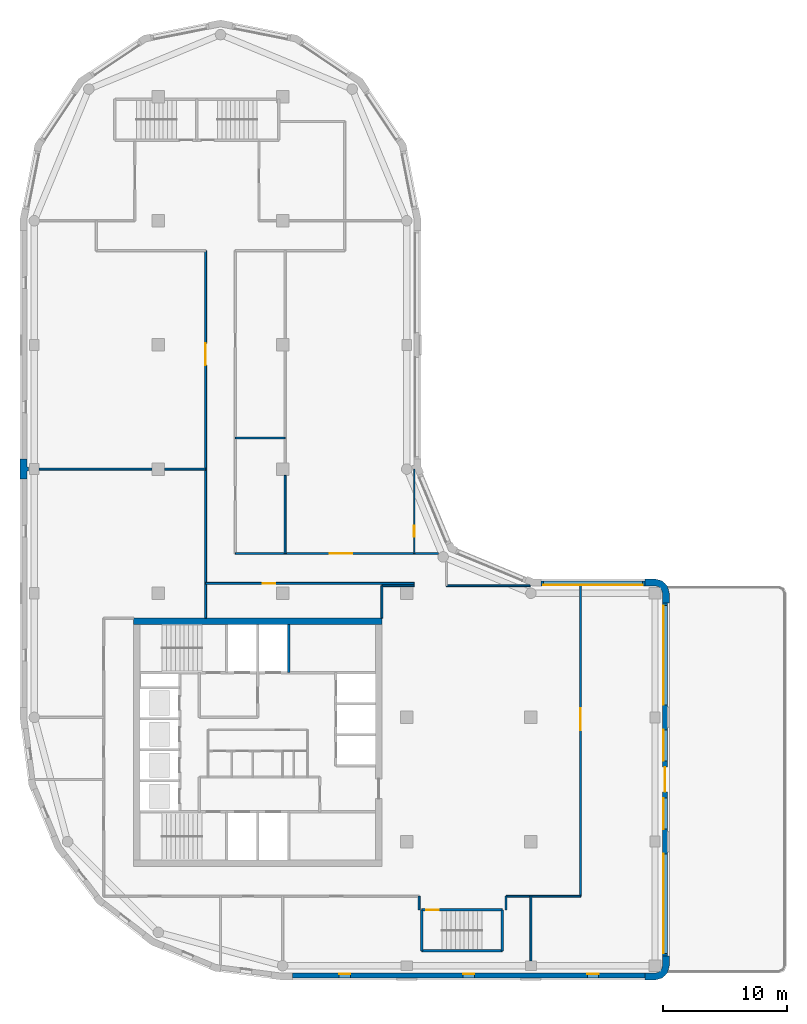
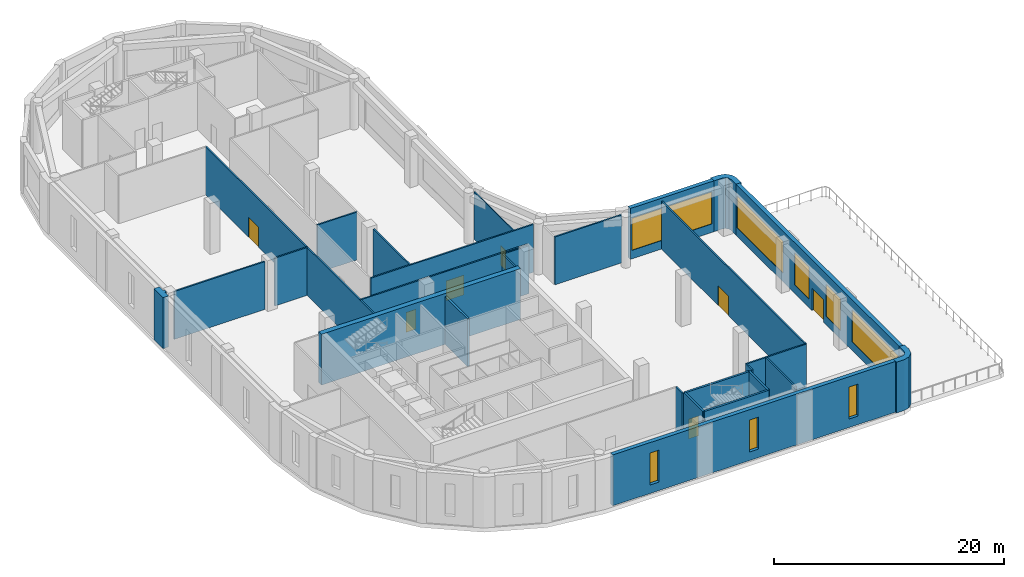
# One storey, part 4 of 9: 28 walls, 8 windows, 7 doors, 15 openings.
"""IFC4 building model written with IfcOpenShell, lengths in metres."""

from ifc_helpers import new_model, si_unit, direction, frame, frame_2d, origin, place, context, subcontext, project, spatial, polyline, rectangle, outline, extrude, material, layer, layer_set, type_object, element, fill, save


model = new_model("IFC4")

# Units and contexts
model_context = context("Model", 3, precision=1e-05, world=origin(), true_north=direction((0.0, 1.0)))
body_context = subcontext(model_context, "Body", "Model", "MODEL_VIEW")
ifc_project = project(units=[si_unit("LENGTHUNIT", "METRE"), si_unit("AREAUNIT", "SQUARE_METRE"), si_unit("VOLUMEUNIT", "CUBIC_METRE"), si_unit("PLANEANGLEUNIT", "RADIAN"), si_unit("MASSUNIT", "GRAM", prefix="KILO")], contexts=[model_context])

# Site, building, storey
site_placement = place(None, origin())
site = spatial("IfcSite", under=ifc_project, at=site_placement, CompositionType="ELEMENT")
building_placement = place(site_placement, origin())
building = spatial("IfcBuilding", under=site, at=building_placement, Name="Qaws Garden Tower", CompositionType="ELEMENT")
storey_placement = place(building_placement, frame((0.0, 0.0, 246.0)))
storey = spatial("IfcBuildingStorey", under=building, at=storey_placement, Name="L59", CompositionType="ELEMENT", Elevation=246.0)

# Walls
ifc_material_1 = material(Name="Clay facing brick masonry", Category="masonry")
ifc_layer_1 = layer(ifc_material_1, 0.550048828125)
ifc_layer_set_1 = layer_set([ifc_layer_1], Name="Clay facing brick masonry")
wall_type_1 = type_object("IfcWallType", Name="Brick corner pier 550 x 2400", PredefinedType="SOLIDWALL", material=ifc_layer_set_1)
placement = place(storey_placement, origin())
element("IfcWall", 1, at=placement, inside=storey, type_object=wall_type_1, Name="E-L59-pier-03", PredefinedType="SOLIDWALL", context=body_context, shape_type="SweptSolid", body=[
    extrude(outline(polyline([(49.199951171875, -1.0), (49.199951171875, -1.14990234375), (50.0, -1.14990234375), (50.574951171875, -0.995849609375), (50.995849609375, -0.574951171875), (51.14990234375, 0.0), (51.14990234375, 0.800048828125), (51.0, 0.800048828125), (50.60009765625, 0.800048828125), (50.60009765625, 0.0), (50.51953125, -0.300048828125), (50.300048828125, -0.51953125), (50.0, -0.60009765625), (49.199951171875, -0.60009765625), (49.199951171875, -1.0)])), origin(), (0.0, 0.0, 1.0), 5.39990234375),
])
element("IfcWall", 2, at=placement, inside=storey, type_object=wall_type_1, Name="E-L59-pier-06", PredefinedType="SOLIDWALL", context=body_context, shape_type="SweptSolid", body=[
    extrude(outline(polyline([(51.0, 29.199951171875), (51.14990234375, 29.199951171875), (51.14990234375, 30.0), (50.995849609375, 30.574951171875), (50.574951171875, 30.995849609375), (50.0, 31.14990234375), (49.199951171875, 31.14990234375), (49.199951171875, 31.0), (49.199951171875, 30.60009765625), (50.0, 30.60009765625), (50.300048828125, 30.51953125), (50.51953125, 30.300048828125), (50.60009765625, 30.0), (50.60009765625, 29.199951171875), (51.0, 29.199951171875)])), origin(), (0.0, 0.0, 1.0), 5.39990234375),
])

# Wall, openings, windows
ifc_material_2 = material(Name="Clay facing brick masonry", Category="masonry")
ifc_layer_2 = layer(ifc_material_2, 0.39990234375)
ifc_layer_set_2 = layer_set([ifc_layer_2], Name="Clay facing brick masonry")
wall_type_2 = type_object("IfcWallType", Name="Brick infill wall 400", PredefinedType="SOLIDWALL", material=ifc_layer_set_2)
wall_3_placement = place(storey_placement, frame((20.800048828125, -0.800048828125, 0.0), z_axis=(0.0, 0.0, 1.0), x_axis=(1.0, 0.0, 0.0)))
wall_3 = element("IfcWall", 3, at=wall_3_placement, inside=storey, type_object=wall_type_2, Name="E-L59-infill-00", PredefinedType="SOLIDWALL", context=body_context, shape_type="SweptSolid", body=[
    extrude(rectangle(XDim=28.39990234375, YDim=0.39990234375, at=frame_2d((14.199951171875, 0.0))), origin(), (0.0, 0.0, 1.0), 5.39990234375),
])
opening_1_placement = place(wall_3_placement, frame((3.75, 0.0, 0.89990234375)))
opening_1 = element("IfcOpeningElement", 4, at=opening_1_placement, cuts=wall_3, Name="Opening W10", PredefinedType="OPENING", context=body_context, shape_type="SweptSolid", body=[
    extrude(rectangle(XDim=0.89990234375, YDim=3.39990234375, at=frame_2d((0.449951171875, 1.699951171875))), frame((0.0, 0.2099609375, 0.0), z_axis=(0.0, -1.0, 0.0), x_axis=(1.0, 0.0, 0.0)), (0.0, 0.0, 1.0), 0.419921875),
])
opening_2_placement = place(wall_3_placement, frame((13.75, 0.0, 0.89990234375)))
opening_2 = element("IfcOpeningElement", 5, at=opening_2_placement, cuts=wall_3, Name="Opening W10", PredefinedType="OPENING", context=body_context, shape_type="SweptSolid", body=[
    extrude(rectangle(XDim=0.89990234375, YDim=3.39990234375, at=frame_2d((0.449951171875, 1.699951171875))), frame((0.0, 0.2099609375, 0.0), z_axis=(0.0, -1.0, 0.0), x_axis=(1.0, 0.0, 0.0)), (0.0, 0.0, 1.0), 0.419921875),
])
opening_3_placement = place(wall_3_placement, frame((23.75, 0.0, 0.89990234375)))
opening_3 = element("IfcOpeningElement", 6, at=opening_3_placement, cuts=wall_3, Name="Opening W10", PredefinedType="OPENING", context=body_context, shape_type="SweptSolid", body=[
    extrude(rectangle(XDim=0.89990234375, YDim=3.39990234375, at=frame_2d((0.449951171875, 1.699951171875))), frame((0.0, 0.2099609375, 0.0), z_axis=(0.0, -1.0, 0.0), x_axis=(1.0, 0.0, 0.0)), (0.0, 0.0, 1.0), 0.419921875),
])
ifc_material_3 = material(Name="Aluminium framed window, clear glazing", Category="aluminium")
window_type_1 = type_object("IfcWindowType", Name="Slit window 900 x 3400", PartitioningType="SINGLE_PANEL", PredefinedType="WINDOW", material=ifc_material_3)
window_1_placement = place(opening_1_placement, origin())
window_1 = element("IfcWindow", 7, at=window_1_placement, inside=storey, type_object=window_type_1, Name="E-L59-window-00-0", OverallHeight=3.39990234375, OverallWidth=0.89990234375, PartitioningType="SINGLE_PANEL", PredefinedType="WINDOW", context=body_context, shape_type="SweptSolid", body=[
    extrude(rectangle(XDim=0.89990234375, YDim=3.39990234375, at=frame_2d((0.449951171875, 1.699951171875))), frame((0.0, 0.159912109375, 0.0), z_axis=(0.0, -1.0, 0.0), x_axis=(1.0, 0.0, 0.0)), (0.0, 0.0, 1.0), 0.06005859375),
])
fill(opening_1, window_1)
window_2_placement = place(opening_2_placement, origin())
window_2 = element("IfcWindow", 8, at=window_2_placement, inside=storey, type_object=window_type_1, Name="E-L59-window-01-0", OverallHeight=3.39990234375, OverallWidth=0.89990234375, PartitioningType="SINGLE_PANEL", PredefinedType="WINDOW", context=body_context, shape_type="SweptSolid", body=[
    extrude(rectangle(XDim=0.89990234375, YDim=3.39990234375, at=frame_2d((0.449951171875, 1.699951171875))), frame((0.0, 0.159912109375, 0.0), z_axis=(0.0, -1.0, 0.0), x_axis=(1.0, 0.0, 0.0)), (0.0, 0.0, 1.0), 0.06005859375),
])
fill(opening_2, window_2)
window_3_placement = place(opening_3_placement, origin())
window_3 = element("IfcWindow", 9, at=window_3_placement, inside=storey, type_object=window_type_1, Name="E-L59-window-02-0", OverallHeight=3.39990234375, OverallWidth=0.89990234375, PartitioningType="SINGLE_PANEL", PredefinedType="WINDOW", context=body_context, shape_type="SweptSolid", body=[
    extrude(rectangle(XDim=0.89990234375, YDim=3.39990234375, at=frame_2d((0.449951171875, 1.699951171875))), frame((0.0, 0.159912109375, 0.0), z_axis=(0.0, -1.0, 0.0), x_axis=(1.0, 0.0, 0.0)), (0.0, 0.0, 1.0), 0.06005859375),
])
fill(opening_3, window_3)

# Wall, openings, windows, door
wall_4_placement = place(storey_placement, frame((50.800048828125, 0.800048828125, 0.0), z_axis=(0.0, 0.0, 1.0), x_axis=(0.0, 1.0, 0.0)))
wall_4 = element("IfcWall", 10, at=wall_4_placement, inside=storey, type_object=wall_type_2, Name="E-L59-infill-03", PredefinedType="SOLIDWALL", context=body_context, shape_type="SweptSolid", body=[
    extrude(rectangle(XDim=28.39990234375, YDim=0.39990234375, at=frame_2d((14.199951171875, 0.0))), origin(), (0.0, 0.0, 1.0), 5.39990234375),
])
opening_4_placement = place(wall_4_placement, frame((0.199951171875, 0.0, 0.89990234375)))
opening_4 = element("IfcOpeningElement", 11, at=opening_4_placement, cuts=wall_4, Name="Opening W02", PredefinedType="OPENING", context=body_context, shape_type="SweptSolid", body=[
    extrude(rectangle(XDim=8.0, YDim=3.39990234375, at=frame_2d((4.0, 1.699951171875))), frame((0.0, 0.2099609375, 0.0), z_axis=(0.0, -1.0, 0.0), x_axis=(1.0, 0.0, 0.0)), (0.0, 0.0, 1.0), 0.419921875),
])
opening_5_placement = place(wall_4_placement, frame((10.199951171875, 0.0, 0.89990234375)))
opening_5 = element("IfcOpeningElement", 12, at=opening_5_placement, cuts=wall_4, Name="Opening W13", PredefinedType="OPENING", context=body_context, shape_type="SweptSolid", body=[
    extrude(rectangle(XDim=2.5, YDim=3.39990234375, at=frame_2d((1.25, 1.699951171875))), frame((0.0, 0.2099609375, 0.0), z_axis=(0.0, -1.0, 0.0), x_axis=(1.0, 0.0, 0.0)), (0.0, 0.0, 1.0), 0.419921875),
])
opening_6_placement = place(wall_4_placement, frame((13.199951171875, 0.0, 0.0)))
opening_6 = element("IfcOpeningElement", 13, at=opening_6_placement, cuts=wall_4, Name="Opening XD011", PredefinedType="OPENING", context=body_context, shape_type="SweptSolid", body=[
    extrude(rectangle(XDim=2.0, YDim=2.39990234375, at=frame_2d((1.0, 1.199951171875))), frame((0.0, 0.2099609375, 0.0), z_axis=(0.0, -1.0, 0.0), x_axis=(1.0, 0.0, 0.0)), (0.0, 0.0, 1.0), 0.419921875),
])
opening_7_placement = place(wall_4_placement, frame((15.699951171875, 0.0, 0.89990234375)))
opening_7 = element("IfcOpeningElement", 14, at=opening_7_placement, cuts=wall_4, Name="Opening W13", PredefinedType="OPENING", context=body_context, shape_type="SweptSolid", body=[
    extrude(rectangle(XDim=2.5, YDim=3.39990234375, at=frame_2d((1.25, 1.699951171875))), frame((0.0, 0.2099609375, 0.0), z_axis=(0.0, -1.0, 0.0), x_axis=(1.0, 0.0, 0.0)), (0.0, 0.0, 1.0), 0.419921875),
])
opening_8_placement = place(wall_4_placement, frame((20.199951171875, 0.0, 0.89990234375)))
opening_8 = element("IfcOpeningElement", 15, at=opening_8_placement, cuts=wall_4, Name="Opening W02", PredefinedType="OPENING", context=body_context, shape_type="SweptSolid", body=[
    extrude(rectangle(XDim=8.0, YDim=3.39990234375, at=frame_2d((4.0, 1.699951171875))), frame((0.0, 0.2099609375, 0.0), z_axis=(0.0, -1.0, 0.0), x_axis=(1.0, 0.0, 0.0)), (0.0, 0.0, 1.0), 0.419921875),
])
ifc_material_4 = material(Name="Aluminium framed window, clear glazing", Category="aluminium")
window_type_2 = type_object("IfcWindowType", Name="Ribbon window 8000 x 3400", PartitioningType="DOUBLE_PANEL_VERTICAL", PredefinedType="WINDOW", material=ifc_material_4)
window_4_placement = place(opening_4_placement, origin())
window_4 = element("IfcWindow", 16, at=window_4_placement, inside=storey, type_object=window_type_2, Name="E-L59-window-03-0", OverallHeight=3.39990234375, OverallWidth=8.0, PartitioningType="SINGLE_PANEL", PredefinedType="WINDOW", context=body_context, shape_type="SweptSolid", body=[
    extrude(rectangle(XDim=8.0, YDim=3.39990234375, at=frame_2d((4.0, 1.699951171875))), frame((0.0, 0.159912109375, 0.0), z_axis=(0.0, -1.0, 0.0), x_axis=(1.0, 0.0, 0.0)), (0.0, 0.0, 1.0), 0.06005859375),
])
fill(opening_4, window_4)
window_5_placement = place(opening_8_placement, origin())
window_5 = element("IfcWindow", 17, at=window_5_placement, inside=storey, type_object=window_type_2, Name="E-L59-window-05-0", OverallHeight=3.39990234375, OverallWidth=8.0, PartitioningType="SINGLE_PANEL", PredefinedType="WINDOW", context=body_context, shape_type="SweptSolid", body=[
    extrude(rectangle(XDim=8.0, YDim=3.39990234375, at=frame_2d((4.0, 1.699951171875))), frame((0.0, 0.159912109375, 0.0), z_axis=(0.0, -1.0, 0.0), x_axis=(1.0, 0.0, 0.0)), (0.0, 0.0, 1.0), 0.06005859375),
])
fill(opening_8, window_5)
ifc_material_5 = material(Name="Aluminium framed window, clear glazing", Category="aluminium")
window_type_3 = type_object("IfcWindowType", Name="Sidelight window 2500 x 3400", PartitioningType="SINGLE_PANEL", PredefinedType="WINDOW", material=ifc_material_5)
window_6_placement = place(opening_5_placement, origin())
window_6 = element("IfcWindow", 18, at=window_6_placement, inside=storey, type_object=window_type_3, Name="E-L59-window-04-0", OverallHeight=3.39990234375, OverallWidth=2.5, PartitioningType="SINGLE_PANEL", PredefinedType="WINDOW", context=body_context, shape_type="SweptSolid", body=[
    extrude(rectangle(XDim=2.5, YDim=3.39990234375, at=frame_2d((1.25, 1.699951171875))), frame((0.0, 0.159912109375, 0.0), z_axis=(0.0, -1.0, 0.0), x_axis=(1.0, 0.0, 0.0)), (0.0, 0.0, 1.0), 0.06005859375),
])
fill(opening_5, window_6)
window_7_placement = place(opening_7_placement, origin())
window_7 = element("IfcWindow", 19, at=window_7_placement, inside=storey, type_object=window_type_3, Name="E-L59-window-04-2", OverallHeight=3.39990234375, OverallWidth=2.5, PartitioningType="SINGLE_PANEL", PredefinedType="WINDOW", context=body_context, shape_type="SweptSolid", body=[
    extrude(rectangle(XDim=2.5, YDim=3.39990234375, at=frame_2d((1.25, 1.699951171875))), frame((0.0, 0.159912109375, 0.0), z_axis=(0.0, -1.0, 0.0), x_axis=(1.0, 0.0, 0.0)), (0.0, 0.0, 1.0), 0.06005859375),
])
fill(opening_7, window_7)
ifc_material_6 = material(Name="Aluminium framed glazed door, clear glazing", Category="aluminium")
door_type_1 = type_object("IfcDoorType", Name="Terrace door 2000 x 2400", OperationType="DOUBLE_DOOR_DOUBLE_SWING", PredefinedType="DOOR", material=ifc_material_6)
door_1_placement = place(opening_6_placement, frame((2.0, 0.0, 0.0), z_axis=(0.0, 0.0, 1.0), x_axis=(-1.0, 0.0, 0.0)))
door_1 = element("IfcDoor", 20, at=door_1_placement, inside=storey, type_object=door_type_1, Name="E-L59-door-04", OperationType="DOUBLE_DOOR_DOUBLE_SWING", OverallHeight=2.39990234375, OverallWidth=2.0, PredefinedType="DOOR", context=body_context, shape_type="SweptSolid", body=[
    extrude(rectangle(XDim=2.0, YDim=2.39990234375, at=frame_2d((1.0, 1.199951171875))), frame((0.0, 0.02490234375, 0.0), z_axis=(0.0, -1.0, 0.0), x_axis=(1.0, 0.0, 0.0)), (0.0, 0.0, 1.0), 0.050048828125),
])
fill(opening_6, door_1)

# Wall, opening, window
wall_5_placement = place(storey_placement, frame((49.199951171875, 30.800048828125, 0.0), z_axis=(0.0, 0.0, 1.0), x_axis=(-1.0, 0.0, 0.0)))
wall_5 = element("IfcWall", 21, at=wall_5_placement, inside=storey, type_object=wall_type_2, Name="E-L59-infill-06", PredefinedType="SOLIDWALL", context=body_context, shape_type="SweptSolid", body=[
    extrude(rectangle(XDim=8.39990234375, YDim=0.39990234375, at=frame_2d((4.199951171875, 0.0))), origin(), (0.0, 0.0, 1.0), 5.39990234375),
])
opening_9_placement = place(wall_5_placement, frame((0.199951171875, 0.0, 0.89990234375)))
opening_9 = element("IfcOpeningElement", 22, at=opening_9_placement, cuts=wall_5, Name="Opening W02", PredefinedType="OPENING", context=body_context, shape_type="SweptSolid", body=[
    extrude(rectangle(XDim=8.0, YDim=3.39990234375, at=frame_2d((4.0, 1.699951171875))), frame((0.0, 0.2099609375, 0.0), z_axis=(0.0, -1.0, 0.0), x_axis=(1.0, 0.0, 0.0)), (0.0, 0.0, 1.0), 0.419921875),
])
window_8_placement = place(opening_9_placement, origin())
window_8 = element("IfcWindow", 23, at=window_8_placement, inside=storey, type_object=window_type_2, Name="E-L59-window-06-0", OverallHeight=3.39990234375, OverallWidth=8.0, PartitioningType="SINGLE_PANEL", PredefinedType="WINDOW", context=body_context, shape_type="SweptSolid", body=[
    extrude(rectangle(XDim=8.0, YDim=3.39990234375, at=frame_2d((4.0, 1.699951171875))), frame((0.0, 0.159912109375, 0.0), z_axis=(0.0, -1.0, 0.0), x_axis=(1.0, 0.0, 0.0)), (0.0, 0.0, 1.0), 0.06005859375),
])
fill(opening_9, window_8)

# Walls
ifc_material_7 = material(Name="Clay facing brick masonry", Category="masonry")
ifc_layer_3 = layer(ifc_material_7, 0.550048828125)
ifc_layer_set_3 = layer_set([ifc_layer_3], Name="Clay facing brick masonry")
wall_type_3 = type_object("IfcWallType", Name="Brick pier 550 x 1600", PredefinedType="SOLIDWALL", material=ifc_layer_set_3)
element("IfcWall", 24, at=placement, inside=storey, type_object=wall_type_3, Name="E-L59-pier-21", PredefinedType="SOLIDWALL", context=body_context, shape_type="SweptSolid", body=[
    extrude(outline(polyline([(-0.60009765625, 39.199951171875), (-0.60009765625, 39.85009765625), (-0.449951171875, 39.85009765625), (-0.449951171875, 40.14990234375), (-0.60009765625, 40.14990234375), (-0.60009765625, 40.800048828125), (-1.0, 40.800048828125), (-1.14990234375, 40.800048828125), (-1.14990234375, 40.0), (-1.14990234375, 39.199951171875), (-1.0, 39.199951171875), (-0.60009765625, 39.199951171875)])), origin(), (0.0, 0.0, 1.0), 5.39990234375),
])
ifc_material_8 = material(Name="Concrete C60", Category="concrete")
ifc_layer_4 = layer(ifc_material_8, 0.199951171875)
ifc_layer_set_4 = layer_set([ifc_layer_4], Name="Concrete C60")
wall_type_4 = type_object("IfcWallType", Name="Core shaft wall 200 C60", PredefinedType="SHEAR", material=ifc_layer_set_4)
wall_7_placement = place(storey_placement, frame((31.199951171875, 1.199951171875, 0.0), z_axis=(0.0, 0.0, 1.0), x_axis=(1.0, 0.0, 0.0)))
element("IfcWall", 25, at=wall_7_placement, inside=storey, type_object=wall_type_4, Name="Shaft wall", PredefinedType="SHEAR", context=body_context, shape_type="SweptSolid", body=[
    extrude(rectangle(XDim=6.5, YDim=0.199951171875, at=frame_2d((3.25, 0.0))), origin(), (0.0, 0.0, 1.0), 5.080078125),
])

# Wall, opening, door
wall_8_placement = place(storey_placement, frame((31.199951171875, 4.5, 0.0), z_axis=(0.0, 0.0, 1.0), x_axis=(1.0, 0.0, 0.0)))
wall_8 = element("IfcWall", 26, at=wall_8_placement, inside=storey, type_object=wall_type_4, Name="Shaft wall", PredefinedType="SHEAR", context=body_context, shape_type="SweptSolid", body=[
    extrude(rectangle(XDim=6.5, YDim=0.199951171875, at=frame_2d((3.25, 0.0))), origin(), (0.0, 0.0, 1.0), 5.080078125),
])
opening_10_placement = place(wall_8_placement, frame((0.375, 0.0, 0.0)))
opening_10 = element("IfcOpeningElement", 27, at=opening_10_placement, cuts=wall_8, Name="Opening SD14", PredefinedType="OPENING", context=body_context, shape_type="SweptSolid", body=[
    extrude(rectangle(XDim=1.0, YDim=2.10009765625, at=frame_2d((0.5, 1.050048828125))), frame((0.0, 0.10986328125, 0.0), z_axis=(0.0, -1.0, 0.0), x_axis=(1.0, 0.0, 0.0)), (0.0, 0.0, 1.0), 0.219970703125),
])
ifc_material_9 = material(Name="Steel S235", Category="steel")
door_type_2 = type_object("IfcDoorType", Name="Stair door 1000x2100", OperationType="SINGLE_SWING_RIGHT", PredefinedType="DOOR", material=ifc_material_9)
door_2_placement = place(opening_10_placement, frame((1.0, 0.0, 0.0), z_axis=(0.0, 0.0, 1.0), x_axis=(-1.0, 0.0, 0.0)))
door_2 = element("IfcDoor", 28, at=door_2_placement, inside=storey, type_object=door_type_2, Name="Stair 5 door", OperationType="SINGLE_SWING_RIGHT", OverallHeight=2.10009765625, OverallWidth=1.0, PredefinedType="DOOR", context=body_context, shape_type="SweptSolid", body=[
    extrude(rectangle(XDim=1.0, YDim=2.10009765625, at=frame_2d((0.5, 1.050048828125))), frame((0.0, 0.02490234375, 0.0), z_axis=(0.0, -1.0, 0.0), x_axis=(1.0, 0.0, 0.0)), (0.0, 0.0, 1.0), 0.050048828125),
])
fill(opening_10, door_2)

# Walls
wall_9_placement = place(storey_placement, frame((20.5, 23.60009765625, 0.0), z_axis=(0.0, 0.0, 1.0), x_axis=(0.0, 1.0, 0.0)))
element("IfcWall", 29, at=wall_9_placement, inside=storey, type_object=wall_type_4, Name="Shaft wall", PredefinedType="SHEAR", context=body_context, shape_type="SweptSolid", body=[
    extrude(rectangle(XDim=3.89990234375, YDim=0.199951171875, at=frame_2d((1.949951171875, 0.0))), origin(), (0.0, 0.0, 1.0), 5.080078125),
])
for number, where, z_axis, x_axis, name in (
    (30, (31.199951171875, 1.199951171875, 0.0), (0.0, 0.0, 1.0), (0.0, 1.0, 0.0), "Shaft wall"),
    (31, (37.699951171875, 1.199951171875, 0.0), (0.0, 0.0, 1.0), (0.0, 1.0, 0.0), "Shaft wall"),
):
    element("IfcWall", number, at=place(storey_placement, frame(where, z_axis=z_axis, x_axis=x_axis)), inside=storey, type_object=wall_type_4, Name=name, PredefinedType="SHEAR", context=body_context, shape_type="SweptSolid", body=[
        extrude(rectangle(XDim=3.300048828125, YDim=0.199951171875, at=frame_2d((1.64990234375, 0.0))), origin(), (0.0, 0.0, 1.0), 5.080078125),
    ])
ifc_material_10 = material(Name="Concrete C60", Category="concrete")
ifc_layer_5 = layer(ifc_material_10, 0.5)
ifc_layer_set_5 = layer_set([ifc_layer_5], Name="Concrete C60")
wall_type_5 = type_object("IfcWallType", Name="Core wall 500 C60", PredefinedType="SHEAR", material=ifc_layer_set_5)
wall_10_placement = place(storey_placement, frame((28.0, 27.75, 0.0), z_axis=(0.0, 0.0, 1.0), x_axis=(-1.0, 0.0, 0.0)))
element("IfcWall", 32, at=wall_10_placement, inside=storey, type_object=wall_type_5, Name="Core wall L59 north", PredefinedType="SHEAR", context=body_context, shape_type="SweptSolid", body=[
    extrude(rectangle(XDim=20.0, YDim=0.5, at=frame_2d((10.0, 0.0))), origin(), (0.0, 0.0, 1.0), 5.39990234375),
])

# Wall, opening, door
ifc_material_11 = material(Name="Gypsum board partition")
ifc_layer_6 = layer(ifc_material_11, 0.10009765625)
ifc_layer_set_6 = layer_set([ifc_layer_6], Name="Gypsum board partition")
wall_type_6 = type_object("IfcWallType", Name="PARTITION 100", PredefinedType="PARTITIONING", material=ifc_layer_set_6)
wall_11_placement = place(storey_placement, frame((30.60009765625, 33.199951171875, 0.0), z_axis=(0.0, 0.0, 1.0), x_axis=(0.0, 1.0, 0.0)))
wall_11 = element("IfcWall", 33, at=wall_11_placement, inside=storey, type_object=wall_type_6, Name="O-L59-wall-001", PredefinedType="PARTITIONING", context=body_context, shape_type="SweptSolid", body=[
    extrude(rectangle(XDim=6.795166015625, YDim=0.10009765625, at=frame_2d((3.3974609375, 0.0))), origin(), (0.0, 0.0, 1.0), 5.080078125),
])
opening_11_placement = place(wall_11_placement, frame((1.35009765625, 0.0, 0.0)))
opening_11 = element("IfcOpeningElement", 34, at=opening_11_placement, cuts=wall_11, Name="Opening S215", PredefinedType="OPENING", context=body_context, shape_type="SweptSolid", body=[
    extrude(rectangle(XDim=0.89990234375, YDim=2.10009765625, at=frame_2d((0.449951171875, 1.050048828125))), frame((0.0, 0.06005859375, 0.0), z_axis=(0.0, -1.0, 0.0), x_axis=(1.0, 0.0, 0.0)), (0.0, 0.0, 1.0), 0.1201171875),
])
ifc_material_12 = material(Name="Timber door leaf", Category="wood")
door_type_3 = type_object("IfcDoorType", Name="OFFICE DOOR 900 X 2100", OperationType="SINGLE_SWING_LEFT", PredefinedType="DOOR", material=ifc_material_12)
door_3_placement = place(opening_11_placement, frame((0.89990234375, 0.0, 0.0), z_axis=(0.0, 0.0, 1.0), x_axis=(-1.0, 0.0, 0.0)))
door_3 = element("IfcDoor", 35, at=door_3_placement, inside=storey, type_object=door_type_3, Name="O-L59-door-015", OperationType="SINGLE_SWING_RIGHT", OverallHeight=2.10009765625, OverallWidth=0.89990234375, PredefinedType="DOOR", context=body_context, shape_type="SweptSolid", body=[
    extrude(rectangle(XDim=0.89990234375, YDim=2.10009765625, at=frame_2d((0.449951171875, 1.050048828125))), frame((0.0, 0.02490234375, 0.0), z_axis=(0.0, -1.0, 0.0), x_axis=(1.0, 0.0, 0.0)), (0.0, 0.0, 1.0), 0.050048828125),
])
fill(opening_11, door_3)

ifc_material_13 = material(Name="Gypsum board partition")
ifc_layer_7 = layer(ifc_material_13, 0.14990234375)
ifc_layer_set_7 = layer_set([ifc_layer_7], Name="Gypsum board partition")
wall_type_7 = type_object("IfcWallType", Name="PARTITION 150 EI 60", PredefinedType="PARTITIONING", material=ifc_layer_set_7)
wall_12_placement = place(storey_placement, frame((13.800048828125, 28.0, 0.0), z_axis=(0.0, 0.0, 1.0), x_axis=(0.0, 1.0, 0.0)))
wall_12 = element("IfcWall", 36, at=wall_12_placement, inside=storey, type_object=wall_type_7, Name="O-L59-wall-005", PredefinedType="PARTITIONING", context=body_context, shape_type="SweptSolid", body=[
    extrude(rectangle(XDim=29.60009765625, YDim=0.14990234375, at=frame_2d((14.800048828125, 0.0))), origin(), (0.0, 0.0, 1.0), 5.080078125),
])
opening_12_placement = place(wall_12_placement, frame((20.35107421875, 0.0, 0.0)))
opening_12 = element("IfcOpeningElement", 37, at=opening_12_placement, cuts=wall_12, Name="Opening S212", PredefinedType="OPENING", context=body_context, shape_type="SweptSolid", body=[
    extrude(rectangle(XDim=1.800048828125, YDim=2.10009765625, at=frame_2d((0.89990234375, 1.050048828125))), frame((0.0, 0.0849609375, 0.0), z_axis=(0.0, -1.0, 0.0), x_axis=(1.0, 0.0, 0.0)), (0.0, 0.0, 1.0), 0.169921875),
])
ifc_material_14 = material(Name="Timber door leaf", Category="wood")
door_type_4 = type_object("IfcDoorType", Name="DOUBLE DOOR 1800 X 2100", OperationType="DOUBLE_DOOR_SINGLE_SWING", PredefinedType="DOOR", material=ifc_material_14)
door_4_placement = place(opening_12_placement, origin())
door_4 = element("IfcDoor", 38, at=door_4_placement, inside=storey, type_object=door_type_4, Name="O-L59-door-012", OperationType="DOUBLE_DOOR_SINGLE_SWING", OverallHeight=2.10009765625, OverallWidth=1.800048828125, PredefinedType="DOOR", context=body_context, shape_type="SweptSolid", body=[
    extrude(rectangle(XDim=1.800048828125, YDim=2.10009765625, at=frame_2d((0.89990234375, 1.050048828125))), frame((0.0, 0.02490234375, 0.0), z_axis=(0.0, -1.0, 0.0), x_axis=(1.0, 0.0, 0.0)), (0.0, 0.0, 1.0), 0.050048828125),
])
fill(opening_12, door_4)

# Walls
wall_13_placement = place(storey_placement, frame((20.199951171875, 33.199951171875, 0.0), z_axis=(0.0, 0.0, 1.0), x_axis=(0.0, 1.0, 0.0)))
element("IfcWall", 39, at=wall_13_placement, inside=storey, type_object=wall_type_7, Name="O-L59-wall-010", PredefinedType="PARTITIONING", context=body_context, shape_type="SweptSolid", body=[
    extrude(rectangle(XDim=6.300048828125, YDim=0.14990234375, at=frame_2d((3.14990234375, 0.0))), origin(), (0.0, 0.0, 1.0), 5.080078125),
])
wall_14_placement = place(storey_placement, frame((28.0, 28.0, 0.0), z_axis=(0.0, 0.0, 1.0), x_axis=(0.0, 1.0, 0.0)))
element("IfcWall", 40, at=wall_14_placement, inside=storey, type_object=wall_type_7, Name="O-L59-wall-014", PredefinedType="PARTITIONING", context=body_context, shape_type="SweptSolid", body=[
    extrude(rectangle(XDim=2.597900390625, YDim=0.14990234375, at=frame_2d((1.298828125, 0.0))), origin(), (0.0, 0.0, 1.0), 5.080078125),
])
for number, where, z_axis, x_axis, name in (
    (41, (31.0, 4.5, 0.0), (0.0, 0.0, 1.0), (0.0, 1.0, 0.0), "O-L59-wall-015"),
    (42, (38.0, 4.5, 0.0), (0.0, 0.0, 1.0), (0.0, 1.0, 0.0), "O-L59-wall-017"),
):
    element("IfcWall", number, at=place(storey_placement, frame(where, z_axis=z_axis, x_axis=x_axis)), inside=storey, type_object=wall_type_7, Name=name, PredefinedType="PARTITIONING", context=body_context, shape_type="SweptSolid", body=[
        extrude(rectangle(XDim=1.10009765625, YDim=0.14990234375, at=frame_2d((0.550048828125, 0.0))), origin(), (0.0, 0.0, 1.0), 5.080078125),
    ])
wall_15_placement = place(storey_placement, frame((40.0, 0.39990234375, 0.0), z_axis=(0.0, 0.0, 1.0), x_axis=(0.0, 1.0, 0.0)))
element("IfcWall", 43, at=wall_15_placement, inside=storey, type_object=wall_type_7, Name="O-L59-wall-018", PredefinedType="PARTITIONING", context=body_context, shape_type="SweptSolid", body=[
    extrude(rectangle(XDim=5.2001953125, YDim=0.14990234375, at=frame_2d((2.60009765625, 0.0))), origin(), (0.0, 0.0, 1.0), 5.080078125),
])

# Wall, opening, door
wall_16_placement = place(storey_placement, frame((44.0, 5.60009765625, 0.0), z_axis=(0.0, 0.0, 1.0), x_axis=(0.0, 1.0, 0.0)))
wall_16 = element("IfcWall", 44, at=wall_16_placement, inside=storey, type_object=wall_type_7, Name="O-L59-wall-019", PredefinedType="PARTITIONING", context=body_context, shape_type="SweptSolid", body=[
    extrude(rectangle(XDim=25.0, YDim=0.14990234375, at=frame_2d((12.5, 0.0))), origin(), (0.0, 0.0, 1.0), 5.080078125),
])
opening_13_placement = place(wall_16_placement, frame((13.35009765625, 0.0, 0.0)))
opening_13 = element("IfcOpeningElement", 45, at=opening_13_placement, cuts=wall_16, Name="Opening S210", PredefinedType="OPENING", context=body_context, shape_type="SweptSolid", body=[
    extrude(rectangle(XDim=1.800048828125, YDim=2.10009765625, at=frame_2d((0.89990234375, 1.050048828125))), frame((0.0, 0.0849609375, 0.0), z_axis=(0.0, -1.0, 0.0), x_axis=(1.0, 0.0, 0.0)), (0.0, 0.0, 1.0), 0.169921875),
])
door_5_placement = place(opening_13_placement, frame((1.800048828125, 0.0, 0.0), z_axis=(0.0, 0.0, 1.0), x_axis=(-1.0, 0.0, 0.0)))
door_5 = element("IfcDoor", 46, at=door_5_placement, inside=storey, type_object=door_type_4, Name="O-L59-door-010", OperationType="DOUBLE_DOOR_SINGLE_SWING", OverallHeight=2.10009765625, OverallWidth=1.800048828125, PredefinedType="DOOR", context=body_context, shape_type="SweptSolid", body=[
    extrude(rectangle(XDim=1.800048828125, YDim=2.10009765625, at=frame_2d((0.89990234375, 1.050048828125))), frame((0.0, 0.02490234375, 0.0), z_axis=(0.0, -1.0, 0.0), x_axis=(1.0, 0.0, 0.0)), (0.0, 0.0, 1.0), 0.050048828125),
])
fill(opening_13, door_5)

# Walls
wall_17_placement = place(storey_placement, frame((38.0, 5.60009765625, 0.0), z_axis=(0.0, 0.0, 1.0), x_axis=(1.0, 0.0, 0.0)))
element("IfcWall", 47, at=wall_17_placement, inside=storey, type_object=wall_type_7, Name="O-L59-wall-021", PredefinedType="PARTITIONING", context=body_context, shape_type="SweptSolid", body=[
    extrude(rectangle(XDim=6.0, YDim=0.14990234375, at=frame_2d((3.0, 0.0))), origin(), (0.0, 0.0, 1.0), 5.080078125),
])
wall_18_placement = place(storey_placement, frame((28.001953125, 30.60009765625, 0.0), z_axis=(0.0, 0.0, 1.0), x_axis=(1.0, 0.0, 0.0)))
element("IfcWall", 48, at=wall_18_placement, inside=storey, type_object=wall_type_7, Name="O-L59-wall-025", PredefinedType="PARTITIONING", context=body_context, shape_type="SweptSolid", body=[
    extrude(rectangle(XDim=2.59814453125, YDim=0.14990234375, at=frame_2d((1.299072265625, 0.0))), origin(), (0.0, 0.0, 1.0), 5.080078125),
])
wall_19_placement = place(storey_placement, frame((33.199951171875, 30.60009765625, 0.0), z_axis=(0.0, 0.0, 1.0), x_axis=(1.0, 0.0, 0.0)))
element("IfcWall", 49, at=wall_19_placement, inside=storey, type_object=wall_type_7, Name="O-L59-wall-026", PredefinedType="PARTITIONING", context=body_context, shape_type="SweptSolid", body=[
    extrude(rectangle(XDim=6.73828125, YDim=0.14990234375, at=frame_2d((3.369140625, 0.0))), origin(), (0.0, 0.0, 1.0), 5.080078125),
])

# Wall, opening, door
wall_20_placement = place(storey_placement, frame((13.802001953125, 30.800048828125, 0.0), z_axis=(0.0, 0.0, 1.0), x_axis=(1.0, 0.0, 0.0)))
wall_20 = element("IfcWall", 50, at=wall_20_placement, inside=storey, type_object=wall_type_7, Name="O-L59-wall-027", PredefinedType="PARTITIONING", context=body_context, shape_type="SweptSolid", body=[
    extrude(rectangle(XDim=16.798095703125, YDim=0.14990234375, at=frame_2d((8.39892578125, 0.0))), origin(), (0.0, 0.0, 1.0), 5.080078125),
])
opening_14_placement = place(wall_20_placement, frame((4.60009765625, 0.0, 0.0)))
opening_14 = element("IfcOpeningElement", 51, at=opening_14_placement, cuts=wall_20, Name="Opening S206", PredefinedType="OPENING", context=body_context, shape_type="SweptSolid", body=[
    extrude(rectangle(XDim=1.0, YDim=2.10009765625, at=frame_2d((0.5, 1.050048828125))), frame((0.0, 0.0849609375, 0.0), z_axis=(0.0, -1.0, 0.0), x_axis=(1.0, 0.0, 0.0)), (0.0, 0.0, 1.0), 0.169921875),
])
ifc_material_15 = material(Name="Timber door leaf", Category="wood")
door_type_5 = type_object("IfcDoorType", Name="TENANCY ENTRANCE DOOR 1000 X 2100", OperationType="SINGLE_SWING_LEFT", PredefinedType="DOOR", material=ifc_material_15)
door_6_placement = place(opening_14_placement, frame((1.0, 0.0, 0.0), z_axis=(0.0, 0.0, 1.0), x_axis=(-1.0, 0.0, 0.0)))
door_6 = element("IfcDoor", 52, at=door_6_placement, inside=storey, type_object=door_type_5, Name="O-L59-door-006", OperationType="SINGLE_SWING_LEFT", OverallHeight=2.10009765625, OverallWidth=1.0, PredefinedType="DOOR", context=body_context, shape_type="SweptSolid", body=[
    extrude(rectangle(XDim=1.0, YDim=2.10009765625, at=frame_2d((0.5, 1.050048828125))), frame((0.0, 0.02490234375, 0.0), z_axis=(0.0, -1.0, 0.0), x_axis=(1.0, 0.0, 0.0)), (0.0, 0.0, 1.0), 0.050048828125),
])
fill(opening_14, door_6)

wall_21_placement = place(storey_placement, frame((16.199951171875, 33.199951171875, 0.0), z_axis=(0.0, 0.0, 1.0), x_axis=(1.0, 0.0, 0.0)))
wall_21 = element("IfcWall", 53, at=wall_21_placement, inside=storey, type_object=wall_type_7, Name="O-L59-wall-028", PredefinedType="PARTITIONING", context=body_context, shape_type="SweptSolid", body=[
    extrude(rectangle(XDim=16.35205078125, YDim=0.14990234375, at=frame_2d((8.176025390625, 0.0))), origin(), (0.0, 0.0, 1.0), 5.080078125),
])
opening_15_placement = place(wall_21_placement, frame((7.60009765625, 0.0, 0.0)))
opening_15 = element("IfcOpeningElement", 54, at=opening_15_placement, cuts=wall_21, Name="Opening S203", PredefinedType="OPENING", context=body_context, shape_type="SweptSolid", body=[
    extrude(rectangle(XDim=1.800048828125, YDim=2.10009765625, at=frame_2d((0.89990234375, 1.050048828125))), frame((0.0, 0.0849609375, 0.0), z_axis=(0.0, -1.0, 0.0), x_axis=(1.0, 0.0, 0.0)), (0.0, 0.0, 1.0), 0.169921875),
])
door_7_placement = place(opening_15_placement, origin())
door_7 = element("IfcDoor", 55, at=door_7_placement, inside=storey, type_object=door_type_4, Name="O-L59-door-003", OperationType="DOUBLE_DOOR_SINGLE_SWING", OverallHeight=2.10009765625, OverallWidth=1.800048828125, PredefinedType="DOOR", context=body_context, shape_type="SweptSolid", body=[
    extrude(rectangle(XDim=1.800048828125, YDim=2.10009765625, at=frame_2d((0.89990234375, 1.050048828125))), frame((0.0, 0.02490234375, 0.0), z_axis=(0.0, -1.0, 0.0), x_axis=(1.0, 0.0, 0.0)), (0.0, 0.0, 1.0), 0.050048828125),
])
fill(opening_15, door_7)

# Walls
wall_22_placement = place(storey_placement, frame((0.39990234375, 40.0, 0.0), z_axis=(0.0, 0.0, 1.0), x_axis=(1.0, 0.0, 0.0)))
element("IfcWall", 56, at=wall_22_placement, inside=storey, type_object=wall_type_7, Name="O-L59-wall-029", PredefinedType="PARTITIONING", context=body_context, shape_type="SweptSolid", body=[
    extrude(rectangle(XDim=9.10009765625, YDim=0.14990234375, at=frame_2d((4.550048828125, 0.0))), origin(), (0.0, 0.0, 1.0), 5.080078125),
])
wall_23_placement = place(storey_placement, frame((10.5, 40.0, 0.0), z_axis=(0.0, 0.0, 1.0), x_axis=(1.0, 0.0, 0.0)))
element("IfcWall", 57, at=wall_23_placement, inside=storey, type_object=wall_type_7, Name="O-L59-wall-030", PredefinedType="PARTITIONING", context=body_context, shape_type="SweptSolid", body=[
    extrude(rectangle(XDim=3.300048828125, YDim=0.14990234375, at=frame_2d((1.64990234375, 0.0))), origin(), (0.0, 0.0, 1.0), 5.080078125),
])
wall_24_placement = place(storey_placement, frame((16.199951171875, 42.5, 0.0), z_axis=(0.0, 0.0, 1.0), x_axis=(1.0, 0.0, 0.0)))
element("IfcWall", 58, at=wall_24_placement, inside=storey, type_object=wall_type_7, Name="O-L59-wall-031", PredefinedType="PARTITIONING", context=body_context, shape_type="SweptSolid", body=[
    extrude(rectangle(XDim=4.0, YDim=0.14990234375, at=frame_2d((2.0, 0.0))), origin(), (0.0, 0.0, 1.0), 5.080078125),
])

save(model, "model.ifc")
